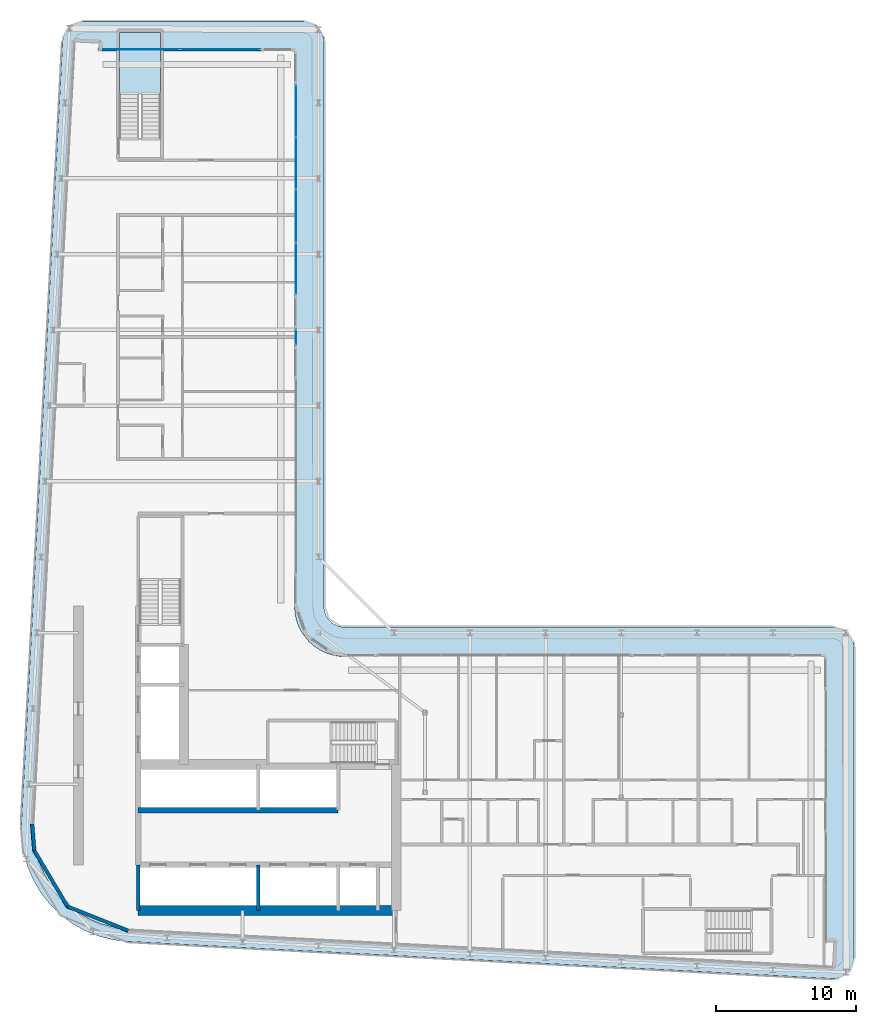
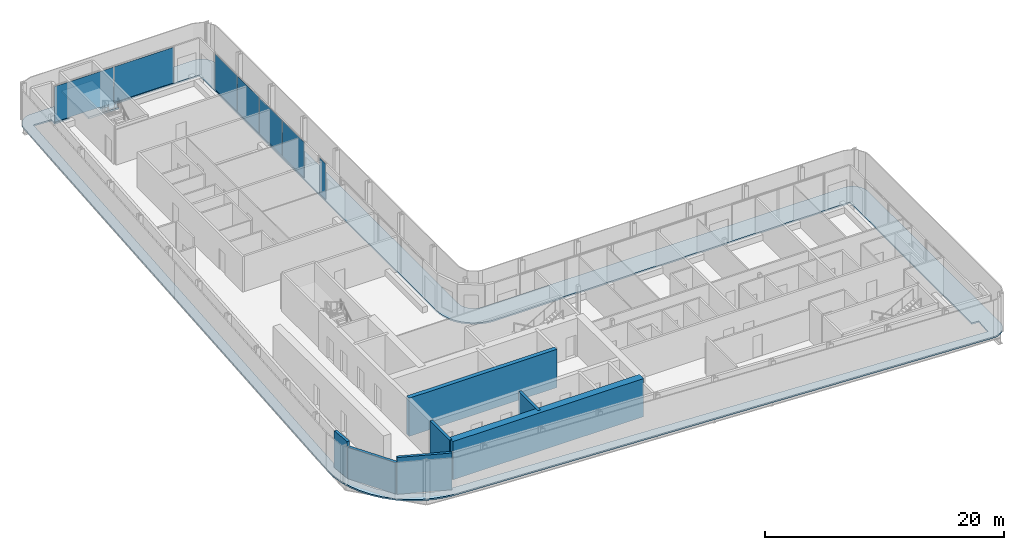
# One storey, part 9 of 21: 7 plates, 7 walls, 2 slabs, 5 elements without a shape of their own.
"""IFC4 building model written with IfcOpenShell, lengths in metres."""

from ifc_helpers import new_model, si_unit, direction, frame, frame_2d, origin, origin_2d, place, context, subcontext, project, spatial, polyline, rectangle, outline, extrude, material, layer, layer_set, type_object, element, aggregate, save


model = new_model("IFC4")

# Units and contexts
model_context = context("Model", 3, precision=1e-05, world=origin(), true_north=direction((0.0, 1.0)))
body_context = subcontext(model_context, "Body", "Model", "MODEL_VIEW")
ifc_project = project(units=[si_unit("LENGTHUNIT", "METRE"), si_unit("AREAUNIT", "SQUARE_METRE"), si_unit("VOLUMEUNIT", "CUBIC_METRE"), si_unit("PLANEANGLEUNIT", "RADIAN"), si_unit("MASSUNIT", "GRAM", prefix="KILO")], contexts=[model_context])

# Site, building, storey
site_placement = place(None, origin())
site = spatial("IfcSite", under=ifc_project, at=site_placement, CompositionType="ELEMENT")
building_placement = place(site_placement, origin())
building = spatial("IfcBuilding", under=site, at=building_placement, Name="Kheshtan School and Residences Tower", CompositionType="ELEMENT")
storey_placement = place(building_placement, frame((0.0, 0.0, 220.10009765625)))
storey = spatial("IfcBuildingStorey", under=building, at=storey_placement, Name="L51", CompositionType="ELEMENT", Elevation=220.10009765625)

# Curtain wall, plates
ifc_material_1 = material(Name="Clear low-e glass in thermally broken aluminium frame", Category="aluminium")
ifc_layer_1 = layer(ifc_material_1, 0.199951171875)
ifc_layer_set_1 = layer_set([ifc_layer_1], Name="Curtain wall CW-L")
curtain_wall_type = type_object("IfcCurtainWallType", Name="Curtain wall CW-L", PredefinedType="NOTDEFINED", material=ifc_layer_set_1)
curtain_wall_1_placement = place(storey_placement, origin())
curtain_wall_1 = element("IfcCurtainWall", 1, at=curtain_wall_1_placement, inside=storey, type_object=curtain_wall_type, Name="Curtain wall CWL3", PredefinedType="NOTDEFINED")
ifc_layer_2 = layer(ifc_material_1, 0.031982421875)
ifc_layer_set_2 = layer_set([ifc_layer_2], Name="CW-L glass panel")
plate_type = type_object("IfcPlateType", Name="CW-L glass panel", PredefinedType="CURTAIN_PANEL", material=ifc_layer_set_2)
plate_1_placement = place(storey_placement, frame((34.8330078125, 87.199951171875, 0.0), z_axis=(0.0, 0.0, 1.0), x_axis=(1.0, 0.0, 0.0)))
plate_1 = element("IfcPlate", 2, at=plate_1_placement, type_object=plate_type, Name="CWL3 panel 1.1", PredefinedType="CURTAIN_PANEL", context=body_context, shape_type="SweptSolid", body=[
    extrude(rectangle(XDim=5.697998046875, YDim=0.031982421875, at=origin_2d()), origin(), (0.0, 0.0, 1.0), 3.6298828125),
])
plate_2_placement = place(storey_placement, frame((40.591064453125, 87.199951171875, 0.0), z_axis=(0.0, 0.0, 1.0), x_axis=(1.0, 0.0, 0.0)))
plate_2 = element("IfcPlate", 3, at=plate_2_placement, type_object=plate_type, Name="CWL3 panel 2.1", PredefinedType="CURTAIN_PANEL", context=body_context, shape_type="SweptSolid", body=[
    extrude(rectangle(XDim=5.697998046875, YDim=0.031982421875, at=origin_2d()), origin(), (0.0, 0.0, 1.0), 3.6298828125),
])
aggregate(curtain_wall_1, [plate_1, plate_2])

curtain_wall_2_placement = place(storey_placement, origin())
curtain_wall_2 = element("IfcCurtainWall", 4, at=curtain_wall_2_placement, inside=storey, type_object=curtain_wall_type, Name="Curtain wall CWL4a", PredefinedType="NOTDEFINED")
plate_3_placement = place(storey_placement, frame((46.0, 82.8056640625, 0.0), z_axis=(0.0, 0.0, 1.0), x_axis=(0.0, -1.0, 0.0)))
plate_3 = element("IfcPlate", 5, at=plate_3_placement, type_object=plate_type, Name="CWL4a panel 1.1", PredefinedType="CURTAIN_PANEL", context=body_context, shape_type="SweptSolid", body=[
    extrude(rectangle(XDim=3.668701171875, YDim=0.031982421875, at=origin_2d()), origin(), (0.0, 0.0, 1.0), 3.6298828125),
])
plate_4_placement = place(storey_placement, frame((46.0, 79.076904296875, 0.0), z_axis=(0.0, 0.0, 1.0), x_axis=(0.0, -1.0, 0.0)))
plate_4 = element("IfcPlate", 6, at=plate_4_placement, type_object=plate_type, Name="CWL4a panel 2.1", PredefinedType="CURTAIN_PANEL", context=body_context, shape_type="SweptSolid", body=[
    extrude(rectangle(XDim=3.668701171875, YDim=0.031982421875, at=origin_2d()), origin(), (0.0, 0.0, 1.0), 3.6298828125),
])
aggregate(curtain_wall_2, [plate_3, plate_4])

curtain_wall_3_placement = place(storey_placement, origin())
curtain_wall_3 = element("IfcCurtainWall", 7, at=curtain_wall_3_placement, inside=storey, type_object=curtain_wall_type, Name="Curtain wall CWL4a", PredefinedType="NOTDEFINED")
plate_5_placement = place(storey_placement, frame((46.0, 75.318115234375, 0.0), z_axis=(0.0, 0.0, 1.0), x_axis=(0.0, -1.0, 0.0)))
plate_5 = element("IfcPlate", 8, at=plate_5_placement, type_object=plate_type, Name="CWL4a panel 1.1", PredefinedType="CURTAIN_PANEL", context=body_context, shape_type="SweptSolid", body=[
    extrude(rectangle(XDim=3.728759765625, YDim=0.031982421875, at=origin_2d()), origin(), (0.0, 0.0, 1.0), 3.6298828125),
])
plate_6_placement = place(storey_placement, frame((46.0, 71.559326171875, 0.0), z_axis=(0.0, 0.0, 1.0), x_axis=(0.0, -1.0, 0.0)))
plate_6 = element("IfcPlate", 9, at=plate_6_placement, type_object=plate_type, Name="CWL4a panel 2.1", PredefinedType="CURTAIN_PANEL", context=body_context, shape_type="SweptSolid", body=[
    extrude(rectangle(XDim=3.668701171875, YDim=0.031982421875, at=origin_2d()), origin(), (0.0, 0.0, 1.0), 3.6298828125),
])
aggregate(curtain_wall_3, [plate_5, plate_6])

# Curtain wall, plate
curtain_wall_4_placement = place(storey_placement, origin())
curtain_wall_4 = element("IfcCurtainWall", 10, at=curtain_wall_4_placement, inside=storey, type_object=curtain_wall_type, Name="Curtain wall CWL4h", PredefinedType="NOTDEFINED")
plate_7_placement = place(storey_placement, frame((46.0, 66.6650390625, 0.0), z_axis=(0.0, 0.0, 1.0), x_axis=(0.0, -1.0, 0.0)))
plate_7 = element("IfcPlate", 11, at=plate_7_placement, type_object=plate_type, Name="CWL4h panel 1.1", PredefinedType="CURTAIN_PANEL", context=body_context, shape_type="SweptSolid", body=[
    extrude(rectangle(XDim=1.080078125, YDim=0.031982421875, at=origin_2d()), origin(), (0.0, 0.0, 1.0), 3.6298828125),
])
aggregate(curtain_wall_4, [plate_7])

# Slab
ifc_material_2 = material(Name="Concrete C40/50", Category="concrete")
ifc_layer_3 = layer(ifc_material_2, 0.14990234375)
ifc_layer_set_3 = layer_set([ifc_layer_3], Name="Loggia balcony slab 150 Concrete C40/50")
slab_type_1 = type_object("IfcSlabType", Name="Loggia balcony slab 150 Concrete C40/50", PredefinedType="FLOOR", material=ifc_layer_set_3)
slab_1_placement = place(storey_placement, frame((0.0, 0.0, -0.150146484375)))
element("IfcSlab", 12, at=slab_1_placement, inside=storey, type_object=slab_type_1, Name="Loggia balcony slab L51", PredefinedType="FLOOR", context=body_context, shape_type="SweptSolid", body=[
    extrude(outline(polyline([(28.4580078125, 26.222900390625), (28.45703125, 26.222900390625), (28.45703125, 26.22412109375), (28.4560546875, 26.22412109375), (27.81494140625, 27.0390625), (27.281005859375, 27.93798828125), (26.867919921875, 28.89990234375), (26.583984375, 29.89990234375), (26.583984375, 29.906982421875), (26.43408203125, 30.943115234375), (26.419921875, 31.989013671875), (29.35693359375, 87.779052734375), (29.363037109375, 87.826904296875), (29.363037109375, 87.827880859375), (29.362060546875, 87.827880859375), (29.362060546875, 87.8291015625), (29.361083984375, 87.8291015625), (29.361083984375, 87.830078125), (29.360107421875, 87.830078125), (29.360107421875, 87.8310546875), (29.35888671875, 87.8310546875), (29.35888671875, 87.83203125), (29.35888671875, 87.8330078125), (29.376953125, 87.98095703125), (29.376953125, 87.98388671875), (29.376953125, 87.985107421875), (29.3779296875, 87.985107421875), (29.3779296875, 87.986083984375), (29.37890625, 87.986083984375), (29.37890625, 87.987060546875), (29.3798828125, 87.987060546875), (29.381103515625, 87.987060546875), (29.381103515625, 87.988037109375), (29.382080078125, 87.988037109375), (29.382080078125, 87.989013671875), (29.382080078125, 87.990966796875), (29.43505859375, 88.18408203125), (29.514892578125, 88.375), (29.62109375, 88.552978515625), (29.742919921875, 88.70703125), (29.743896484375, 88.70703125), (29.743896484375, 88.7080078125), (29.7451171875, 88.7080078125), (29.7451171875, 88.708984375), (29.74609375, 88.708984375), (29.74609375, 88.7099609375), (29.7470703125, 88.7099609375), (29.7470703125, 88.7109375), (29.748046875, 88.7109375), (29.748046875, 88.7119140625), (29.7490234375, 88.7119140625), (29.7490234375, 88.712890625), (29.75, 88.712890625), (29.75390625, 88.712890625), (29.7548828125, 88.712890625), (29.7548828125, 88.714111328125), (29.89990234375, 88.85693359375), (29.90087890625, 88.85693359375), (29.90087890625, 88.85791015625), (29.902099609375, 88.85791015625), (29.902099609375, 88.85888671875), (29.903076171875, 88.85888671875), (29.903076171875, 88.860107421875), (29.904052734375, 88.860107421875), (29.904052734375, 88.861083984375), (29.905029296875, 88.861083984375), (29.905029296875, 88.862060546875), (29.906005859375, 88.862060546875), (29.906005859375, 88.863037109375), (29.906982421875, 88.863037109375), (29.906982421875, 88.864013671875), (30.068115234375, 88.97705078125), (30.2509765625, 89.072998046875), (30.43896484375, 89.14306640625), (30.446044921875, 89.14306640625), (30.64794921875, 89.18603515625), (30.85498046875, 89.199951171875), (46.5, 89.199951171875), (46.696044921875, 89.18701171875), (46.887939453125, 89.14892578125), (46.89501953125, 89.14892578125), (47.073974609375, 89.0859375), (47.242919921875, 89.0009765625), (47.243896484375, 89.0009765625), (47.2470703125, 89.0009765625), (47.248046875, 89.0009765625), (47.248046875, 89.001953125), (47.2490234375, 89.001953125), (47.2490234375, 89.0029296875), (47.25, 89.0029296875), (47.2529296875, 89.0029296875), (47.25390625, 89.0029296875), (47.25390625, 89.001953125), (47.2548828125, 89.001953125), (47.2548828125, 89.0009765625), (47.256103515625, 89.0009765625), (47.256103515625, 89.0), (47.257080078125, 89.0), (47.257080078125, 88.9990234375), (47.258056640625, 88.9990234375), (47.258056640625, 88.998046875), (47.412109375, 88.89599609375), (47.4130859375, 88.89599609375), (47.4130859375, 88.89501953125), (47.4140625, 88.89501953125), (47.4140625, 88.89404296875), (47.4140625, 88.889892578125), (47.4140625, 88.888916015625), (47.4150390625, 88.888916015625), (47.4150390625, 88.887939453125), (47.416015625, 88.887939453125), (47.416015625, 88.886962890625), (47.4169921875, 88.886962890625), (47.4169921875, 88.885986328125), (47.554931640625, 88.76806640625), (47.554931640625, 88.76708984375), (47.555908203125, 88.76708984375), (47.555908203125, 88.76611328125), (47.556884765625, 88.76611328125), (47.556884765625, 88.764892578125), (47.55810546875, 88.764892578125), (47.55810546875, 88.763916015625), (47.55908203125, 88.763916015625), (47.55908203125, 88.762939453125), (47.56005859375, 88.762939453125), (47.56005859375, 88.761962890625), (47.56103515625, 88.761962890625), (47.56201171875, 88.760986328125), (47.56201171875, 88.760009765625), (47.56298828125, 88.760009765625), (47.56298828125, 88.759033203125), (47.56396484375, 88.759033203125), (47.56396484375, 88.758056640625), (47.56494140625, 88.758056640625), (47.56494140625, 88.757080078125), (47.56591796875, 88.757080078125), (47.56591796875, 88.756103515625), (47.56689453125, 88.756103515625), (47.56689453125, 88.7548828125), (47.568115234375, 88.7548828125), (47.68505859375, 88.617919921875), (47.68603515625, 88.617919921875), (47.68603515625, 88.616943359375), (47.68701171875, 88.616943359375), (47.68701171875, 88.615966796875), (47.68798828125, 88.615966796875), (47.68798828125, 88.614990234375), (47.68896484375, 88.614990234375), (47.68896484375, 88.614013671875), (47.68994140625, 88.614013671875), (47.694091796875, 88.614013671875), (47.695068359375, 88.614013671875), (47.695068359375, 88.613037109375), (47.696044921875, 88.613037109375), (47.696044921875, 88.612060546875), (47.797119140625, 88.458984375), (47.798095703125, 88.458984375), (47.798095703125, 88.4580078125), (47.799072265625, 88.4580078125), (47.799072265625, 88.45703125), (47.800048828125, 88.45703125), (47.800048828125, 88.4560546875), (47.801025390625, 88.4560546875), (47.801025390625, 88.455078125), (47.802001953125, 88.455078125), (47.802001953125, 88.4541015625), (47.802978515625, 88.4541015625), (47.802978515625, 88.452880859375), (47.802978515625, 88.449951171875), (47.802978515625, 88.448974609375), (47.802001953125, 88.448974609375), (47.802001953125, 88.447998046875), (47.801025390625, 88.447998046875), (47.801025390625, 88.447021484375), (47.801025390625, 88.443115234375), (47.801025390625, 88.44189453125), (47.885986328125, 88.27392578125), (47.948974609375, 88.094970703125), (47.948974609375, 88.087890625), (47.987060546875, 87.89599609375), (48.0, 87.699951171875), (48.0, 47.5), (48.012939453125, 47.303955078125), (48.051025390625, 47.113037109375), (48.051025390625, 47.10693359375), (48.051025390625, 47.10595703125), (48.114013671875, 46.926025390625), (48.200927734375, 46.75), (48.31005859375, 46.5869140625), (48.431884765625, 46.444091796875), (48.43310546875, 46.444091796875), (48.43310546875, 46.443115234375), (48.43408203125, 46.443115234375), (48.43408203125, 46.44189453125), (48.43505859375, 46.44189453125), (48.43505859375, 46.44091796875), (48.43603515625, 46.44091796875), (48.43603515625, 46.43994140625), (48.43701171875, 46.43994140625), (48.43701171875, 46.43896484375), (48.43798828125, 46.43896484375), (48.43896484375, 46.43798828125), (48.43896484375, 46.43701171875), (48.43994140625, 46.43701171875), (48.43994140625, 46.43603515625), (48.44091796875, 46.43603515625), (48.44091796875, 46.43505859375), (48.44189453125, 46.43505859375), (48.44189453125, 46.43408203125), (48.443115234375, 46.43408203125), (48.443115234375, 46.43310546875), (48.444091796875, 46.43310546875), (48.444091796875, 46.431884765625), (48.5869140625, 46.31005859375), (48.75, 46.200927734375), (48.926025390625, 46.114013671875), (49.10595703125, 46.051025390625), (49.10693359375, 46.051025390625), (49.113037109375, 46.051025390625), (49.303955078125, 46.012939453125), (49.5, 46.0), (84.300048828125, 46.0), (84.49609375, 45.987060546875), (84.68798828125, 45.948974609375), (84.695068359375, 45.948974609375), (84.8740234375, 45.885986328125), (85.0419921875, 45.801025390625), (85.04296875, 45.801025390625), (85.047119140625, 45.801025390625), (85.048095703125, 45.801025390625), (85.048095703125, 45.802001953125), (85.049072265625, 45.802001953125), (85.049072265625, 45.802978515625), (85.050048828125, 45.802978515625), (85.052978515625, 45.802978515625), (85.053955078125, 45.802978515625), (85.053955078125, 45.802001953125), (85.054931640625, 45.802001953125), (85.054931640625, 45.801025390625), (85.055908203125, 45.801025390625), (85.055908203125, 45.800048828125), (85.056884765625, 45.800048828125), (85.056884765625, 45.799072265625), (85.05810546875, 45.799072265625), (85.05810546875, 45.798095703125), (85.05908203125, 45.798095703125), (85.05908203125, 45.797119140625), (85.06005859375, 45.797119140625), (85.06005859375, 45.7958984375), (85.2119140625, 45.696044921875), (85.212890625, 45.696044921875), (85.212890625, 45.695068359375), (85.214111328125, 45.695068359375), (85.214111328125, 45.694091796875), (85.214111328125, 45.68994140625), (85.214111328125, 45.68896484375), (85.215087890625, 45.68896484375), (85.215087890625, 45.68798828125), (85.216064453125, 45.68798828125), (85.216064453125, 45.68701171875), (85.217041015625, 45.68701171875), (85.217041015625, 45.68603515625), (85.218017578125, 45.68603515625), (85.218017578125, 45.68505859375), (85.218994140625, 45.68505859375), (85.218994140625, 45.68408203125), (85.35498046875, 45.568115234375), (85.35498046875, 45.56689453125), (85.35595703125, 45.56689453125), (85.35595703125, 45.56591796875), (85.35693359375, 45.56591796875), (85.35693359375, 45.56494140625), (85.35791015625, 45.56494140625), (85.35791015625, 45.56396484375), (85.35888671875, 45.56396484375), (85.35888671875, 45.56298828125), (85.360107421875, 45.56298828125), (85.360107421875, 45.56201171875), (85.361083984375, 45.56201171875), (85.362060546875, 45.56103515625), (85.362060546875, 45.56005859375), (85.363037109375, 45.56005859375), (85.363037109375, 45.55908203125), (85.364013671875, 45.55908203125), (85.364013671875, 45.55810546875), (85.364990234375, 45.55810546875), (85.364990234375, 45.556884765625), (85.365966796875, 45.556884765625), (85.365966796875, 45.555908203125), (85.366943359375, 45.555908203125), (85.366943359375, 45.554931640625), (85.367919921875, 45.554931640625), (85.48193359375, 45.4208984375), (85.48291015625, 45.4208984375), (85.48291015625, 45.419921875), (85.48388671875, 45.419921875), (85.48388671875, 45.4189453125), (85.485107421875, 45.4189453125), (85.485107421875, 45.41796875), (85.486083984375, 45.41796875), (85.486083984375, 45.4169921875), (85.487060546875, 45.4169921875), (85.487060546875, 45.416015625), (85.488037109375, 45.416015625), (85.488037109375, 45.4150390625), (85.489013671875, 45.4150390625), (85.489013671875, 45.4140625), (85.489990234375, 45.4140625), (85.493896484375, 45.4140625), (85.4951171875, 45.4140625), (85.4951171875, 45.4130859375), (85.49609375, 45.4130859375), (85.49609375, 45.412109375), (85.593994140625, 45.261962890625), (85.594970703125, 45.261962890625), (85.594970703125, 45.260986328125), (85.595947265625, 45.260986328125), (85.595947265625, 45.260009765625), (85.596923828125, 45.260009765625), (85.596923828125, 45.259033203125), (85.597900390625, 45.259033203125), (85.597900390625, 45.258056640625), (85.59912109375, 45.258056640625), (85.59912109375, 45.257080078125), (85.60009765625, 45.257080078125), (85.60009765625, 45.256103515625), (85.60107421875, 45.256103515625), (85.60107421875, 45.2548828125), (85.60205078125, 45.2548828125), (85.60205078125, 45.25390625), (85.60302734375, 45.25390625), (85.60302734375, 45.2529296875), (85.60302734375, 45.25), (85.60302734375, 45.2490234375), (85.60205078125, 45.2490234375), (85.60205078125, 45.248046875), (85.60107421875, 45.248046875), (85.60107421875, 45.2470703125), (85.60107421875, 45.240966796875), (85.60107421875, 45.239990234375), (85.68603515625, 45.073974609375), (85.7490234375, 44.89501953125), (85.7490234375, 44.887939453125), (85.787109375, 44.696044921875), (85.800048828125, 44.5), (85.800048828125, 22.43408203125), (85.785888671875, 22.23095703125), (85.7451171875, 22.032958984375), (85.7451171875, 22.02587890625), (85.677978515625, 21.841064453125), (85.5859375, 21.660888671875), (85.470947265625, 21.49609375), (85.470947265625, 21.4951171875), (85.470947265625, 21.493896484375), (85.470947265625, 21.492919921875), (85.471923828125, 21.492919921875), (85.471923828125, 21.491943359375), (85.471923828125, 21.489990234375), (85.471923828125, 21.489013671875), (85.470947265625, 21.489013671875), (85.470947265625, 21.488037109375), (85.337890625, 21.343994140625), (85.3349609375, 21.341064453125), (85.333984375, 21.341064453125), (85.333984375, 21.340087890625), (85.3330078125, 21.340087890625), (85.3310546875, 21.340087890625), (85.330078125, 21.340087890625), (85.330078125, 21.341064453125), (85.3291015625, 21.341064453125), (85.327880859375, 21.341064453125), (85.326904296875, 21.341064453125), (85.176025390625, 21.216064453125), (85.00390625, 21.10888671875), (84.819091796875, 21.02587890625), (84.631103515625, 20.968994140625), (84.6240234375, 20.968994140625), (84.424072265625, 20.93896484375), (84.220947265625, 20.93603515625), (33.989013671875, 23.580078125), (33.94189453125, 23.5859375), (33.94091796875, 23.5859375), (33.93994140625, 23.5859375), (33.93994140625, 23.5849609375), (33.93896484375, 23.5849609375), (33.93896484375, 23.583984375), (33.93798828125, 23.583984375), (33.93798828125, 23.5830078125), (33.93701171875, 23.5830078125), (33.93701171875, 23.58203125), (33.93603515625, 23.58203125), (33.93505859375, 23.58203125), (32.952880859375, 23.697998046875), (32.949951171875, 23.697998046875), (32.948974609375, 23.697998046875), (32.948974609375, 23.698974609375), (32.947998046875, 23.698974609375), (32.947998046875, 23.699951171875), (32.947021484375, 23.699951171875), (32.947021484375, 23.700927734375), (32.947021484375, 23.702880859375), (32.947021484375, 23.7041015625), (32.946044921875, 23.7041015625), (32.946044921875, 23.705078125), (32.945068359375, 23.705078125), (32.944091796875, 23.705078125), (31.93603515625, 23.9609375), (31.928955078125, 23.9609375), (30.964111328125, 24.34912109375), (30.051025390625, 24.860107421875), (29.218994140625, 25.47900390625), (29.218994140625, 25.47998046875), (29.218017578125, 25.47998046875), (29.218017578125, 25.48095703125), (29.217041015625, 25.48095703125), (29.217041015625, 25.48193359375), (29.216064453125, 25.48193359375), (29.216064453125, 25.48291015625), (29.215087890625, 25.48291015625), (29.215087890625, 25.48388671875), (29.214111328125, 25.48388671875), (29.214111328125, 25.485107421875), (29.212890625, 25.485107421875), (29.212890625, 25.486083984375), (29.2119140625, 25.486083984375), (28.468017578125, 26.217041015625), (28.468017578125, 26.218017578125), (28.467041015625, 26.218017578125), (28.462890625, 26.218017578125), (28.4619140625, 26.218017578125), (28.4619140625, 26.218994140625), (28.4609375, 26.218994140625), (28.4609375, 26.219970703125), (28.4599609375, 26.219970703125), (28.4599609375, 26.220947265625), (28.458984375, 26.220947265625), (28.458984375, 26.221923828125), (28.4580078125, 26.221923828125), (28.4580078125, 26.222900390625)]), holes=[polyline([(27.466064453125, 30.0869140625), (27.718017578125, 29.200927734375), (28.0849609375, 28.345947265625), (28.55908203125, 27.550048828125), (29.126953125, 26.825927734375), (29.1279296875, 26.825927734375), (29.1279296875, 26.824951171875), (29.12890625, 26.824951171875), (29.12890625, 26.823974609375), (29.1298828125, 26.823974609375), (29.1298828125, 26.822998046875), (29.131103515625, 26.822998046875), (29.131103515625, 26.822021484375), (29.132080078125, 26.822021484375), (29.132080078125, 26.821044921875), (29.133056640625, 26.821044921875), (29.133056640625, 26.820068359375), (29.134033203125, 26.820068359375), (29.7939453125, 26.173095703125), (29.7939453125, 26.172119140625), (29.794921875, 26.172119140625), (29.798095703125, 26.172119140625), (29.799072265625, 26.172119140625), (29.799072265625, 26.1708984375), (29.800048828125, 26.1708984375), (29.800048828125, 26.169921875), (29.801025390625, 26.169921875), (29.801025390625, 26.1689453125), (29.802001953125, 26.1689453125), (29.802001953125, 26.16796875), (29.802978515625, 26.16796875), (29.802978515625, 26.1669921875), (29.803955078125, 26.1669921875), (29.803955078125, 26.166015625), (30.541015625, 25.616943359375), (31.35205078125, 25.1630859375), (32.208984375, 24.819091796875), (32.2099609375, 24.819091796875), (32.216064453125, 24.819091796875), (33.114990234375, 24.590087890625), (34.06591796875, 24.47705078125), (84.238037109375, 21.8359375), (84.264892578125, 21.8369140625), (84.26611328125, 21.8369140625), (84.26708984375, 21.8369140625), (84.26708984375, 21.837890625), (84.26806640625, 21.837890625), (84.26806640625, 21.839111328125), (84.26806640625, 21.840087890625), (84.35791015625, 23.529052734375), (84.35791015625, 23.530029296875), (84.35791015625, 23.531005859375), (84.35693359375, 23.531005859375), (84.35693359375, 23.531982421875), (84.35595703125, 23.531982421875), (84.35498046875, 23.531982421875), (83.700927734375, 23.56689453125), (83.699951171875, 23.56689453125), (83.699951171875, 23.568115234375), (83.699951171875, 43.89794921875), (83.699951171875, 43.89892578125), (83.698974609375, 43.89892578125), (83.698974609375, 43.89990234375), (83.697998046875, 43.89990234375), (49.429931640625, 43.89990234375), (49.030029296875, 43.927001953125), (48.569091796875, 44.01806640625), (48.56201171875, 44.01806640625), (48.1201171875, 44.169921875), (47.697021484375, 44.37890625), (47.30810546875, 44.638916015625), (46.95703125, 44.944091796875), (46.95703125, 44.945068359375), (46.9560546875, 44.945068359375), (46.9560546875, 44.946044921875), (46.955078125, 44.946044921875), (46.955078125, 44.947021484375), (46.9541015625, 44.947021484375), (46.9541015625, 44.947998046875), (46.952880859375, 44.947998046875), (46.952880859375, 44.948974609375), (46.951904296875, 44.948974609375), (46.951904296875, 44.949951171875), (46.951904296875, 44.950927734375), (46.950927734375, 44.950927734375), (46.950927734375, 44.951904296875), (46.949951171875, 44.951904296875), (46.948974609375, 44.951904296875), (46.948974609375, 44.952880859375), (46.947998046875, 44.952880859375), (46.947998046875, 44.9541015625), (46.947021484375, 44.9541015625), (46.947021484375, 44.955078125), (46.946044921875, 44.955078125), (46.946044921875, 44.9560546875), (46.945068359375, 44.9560546875), (46.945068359375, 44.95703125), (46.944091796875, 44.95703125), (46.638916015625, 45.30810546875), (46.37890625, 45.697021484375), (46.169921875, 46.1201171875), (46.01806640625, 46.56201171875), (46.01806640625, 46.569091796875), (45.927001953125, 47.030029296875), (45.89990234375, 47.429931640625), (45.89990234375, 87.097900390625), (45.89990234375, 87.09912109375), (45.89892578125, 87.09912109375), (45.89892578125, 87.10009765625), (45.89794921875, 87.10009765625), (36.35009765625, 87.10009765625), (36.35009765625, 88.4599609375), (33.39990234375, 88.4599609375), (33.39990234375, 87.10009765625), (31.925048828125, 87.10009765625), (31.924072265625, 87.10009765625), (31.952880859375, 87.638916015625), (31.952880859375, 87.639892578125), (31.952880859375, 87.64111328125), (31.951904296875, 87.64111328125), (31.951904296875, 87.64208984375), (31.950927734375, 87.64208984375), (31.949951171875, 87.64208984375), (30.260986328125, 87.73193359375), (30.260009765625, 87.73193359375), (30.259033203125, 87.73193359375), (30.259033203125, 87.73095703125), (30.258056640625, 87.73095703125), (30.258056640625, 87.72998046875), (30.258056640625, 87.72900390625), (30.25390625, 87.700927734375), (27.320068359375, 31.970947265625), (27.3330078125, 31.013916015625), (27.466064453125, 30.093994140625), (27.466064453125, 30.087890625), (27.466064453125, 30.0869140625)])]), origin(), (0.0, 0.0, 1.0), 0.150146484375),
])

# Stair, slab
stair_type = type_object("IfcStairType", Name="Exit stair, half-turn", PredefinedType="HALF_TURN_STAIR", material=ifc_material_2)
stair_placement = place(storey_placement, origin())
stair = element("IfcStair", 13, at=stair_placement, inside=storey, type_object=stair_type, Name="L51 Protected Exit Stair ST3", PredefinedType="HALF_TURN_STAIR")
ifc_layer_4 = layer(ifc_material_2, 0.199951171875)
ifc_layer_set_4 = layer_set([ifc_layer_4], Name="Stair landing 200 Concrete C40/50")
slab_type_2 = type_object("IfcSlabType", Name="Stair landing 200 Concrete C40/50", PredefinedType="LANDING", material=ifc_layer_set_4)
slab_2_placement = place(storey_placement, frame((0.0, 0.0, 1.75)))
slab_2 = element("IfcSlab", 14, at=slab_2_placement, type_object=slab_type_2, Name="ST3 landing 1", PredefinedType="LANDING", context=body_context, shape_type="SweptSolid", body=[
    extrude(outline(polyline([(36.35009765625, 83.97998046875), (36.35009765625, 88.4599609375), (33.39990234375, 88.4599609375), (33.39990234375, 83.97998046875), (36.35009765625, 83.97998046875)])), origin(), (0.0, 0.0, 1.0), 0.199951171875),
])
aggregate(stair, [slab_2])

# Walls
ifc_material_3 = material(Name="Concrete C50/60", Category="concrete")
ifc_layer_5 = layer(ifc_material_3, 0.39990234375)
ifc_layer_set_5 = layer_set([ifc_layer_5], Name="Core wall 400 Concrete C50/60")
wall_type_1 = type_object("IfcWallType", Name="Core wall 400 Concrete C50/60", PredefinedType="SHEAR", material=ifc_layer_set_5)
wall_1_placement = place(storey_placement, frame((34.75, 32.949951171875, 0.0), z_axis=(0.0, 0.0, 1.0), x_axis=(1.0, 0.0, 0.0)))
element("IfcWall", 15, at=wall_1_placement, inside=storey, type_object=wall_type_1, Name="Core wall CW-HALL-S2", PredefinedType="SHEAR", context=body_context, shape_type="SweptSolid", body=[
    extrude(rectangle(XDim=14.25, YDim=0.39990234375, at=frame_2d((7.125, 0.0))), origin(), (0.0, 0.0, 1.0), 3.89990234375),
])
ifc_material_4 = material(Name="Concrete C70/85", Category="concrete")
ifc_layer_6 = layer(ifc_material_4, 0.699951171875)
ifc_layer_set_6 = layer_set([ifc_layer_6], Name="Core wall 700 Concrete C70/85")
wall_type_2 = type_object("IfcWallType", Name="Core wall 700 Concrete C70/85", PredefinedType="SHEAR", material=ifc_layer_set_6)
wall_2_placement = place(storey_placement, frame((34.75, 25.800048828125, 0.0), z_axis=(0.0, 0.0, 1.0), x_axis=(1.0, 0.0, 0.0)))
element("IfcWall", 16, at=wall_2_placement, inside=storey, type_object=wall_type_2, Name="Core wall CW-REAR-S", PredefinedType="SHEAR", context=body_context, shape_type="SweptSolid", body=[
    extrude(rectangle(XDim=18.39990234375, YDim=0.699951171875, at=frame_2d((9.199951171875, 0.0))), origin(), (0.0, 0.0, 1.0), 3.89990234375),
])
ifc_material_5 = material(Name="Concrete C40/50 with ceramic cladding and mineral wool insulation", Category="concrete")
ifc_layer_7 = layer(ifc_material_5, 0.25)
ifc_layer_set_7 = layer_set([ifc_layer_7], Name="External wall 250 ceramic clad")
wall_type_3 = type_object("IfcWallType", Name="External wall 250 ceramic clad", PredefinedType="SOLIDWALL", material=ifc_layer_set_7)
wall_3_placement = place(storey_placement, frame((34.0390625, 24.35302734375, 0.0), z_axis=(0.0, 0.0, 1.0), x_axis=(-0.929352825399, 0.369192803184, 0.0)))
element("IfcWall", 17, at=wall_3_placement, inside=storey, type_object=wall_type_3, Name="External wall L51 13", PredefinedType="SOLIDWALL", context=body_context, shape_type="SweptSolid", body=[
    extrude(rectangle(XDim=4.656005859375, YDim=0.25, at=frame_2d((2.328125, 0.0))), origin(), (0.0, 0.0, 1.0), 3.75),
])
wall_4_placement = place(storey_placement, frame((29.7119140625, 26.072021484375, 0.0), z_axis=(0.0, 0.0, 1.0), x_axis=(-0.511028049012, 0.859564036662, 0.0)))
element("IfcWall", 18, at=wall_4_placement, inside=storey, type_object=wall_type_3, Name="External wall L51 14", PredefinedType="SOLIDWALL", context=body_context, shape_type="SweptSolid", body=[
    extrude(rectangle(XDim=4.633544921875, YDim=0.25, at=frame_2d((2.31689453125, 0.0))), origin(), (0.0, 0.0, 1.0), 3.216796875),
])
wall_5_placement = place(storey_placement, frame((27.343994140625, 30.054931640625, 0.0), z_axis=(0.0, 0.0, 1.0), x_axis=(-0.077571675317, 0.99698677784, 0.0)))
element("IfcWall", 19, at=wall_5_placement, inside=storey, type_object=wall_type_3, Name="External wall L51 15", PredefinedType="SOLIDWALL", context=body_context, shape_type="SweptSolid", body=[
    extrude(rectangle(XDim=1.919921875, YDim=0.25, at=frame_2d((0.9599609375, 0.0))), origin(), (0.0, 0.0, 1.0), 3.75),
])
ifc_material_6 = material(Name="Fire-board shaft wall system")
ifc_layer_8 = layer(ifc_material_6, 0.25)
ifc_layer_set_8 = layer_set([ifc_layer_8], Name="Shaft lining wall 250")
wall_type_4 = type_object("IfcWallType", Name="Shaft lining wall 250", PredefinedType="PARTITIONING", material=ifc_layer_set_8)
for number, where, z_axis, x_axis, name in (
    (20, (34.75, 25.800048828125, 0.0), (0.0, 0.0, 1.0), (0.0, 1.0, 0.0), "Shaft lining wall"),
    (21, (43.300048828125, 25.800048828125, 0.0), (0.0, 0.0, 1.0), (0.0, 1.0, 0.0), "Shaft lining wall"),
):
    element("IfcWall", number, at=place(storey_placement, frame(where, z_axis=z_axis, x_axis=x_axis)), inside=storey, type_object=wall_type_4, Name=name, PredefinedType="PARTITIONING", context=body_context, shape_type="SweptSolid", body=[
        extrude(rectangle(XDim=3.25, YDim=0.25, at=frame_2d((1.625, 0.0))), origin(), (0.0, 0.0, 1.0), 3.89990234375),
    ])

save(model, "model.ifc")
